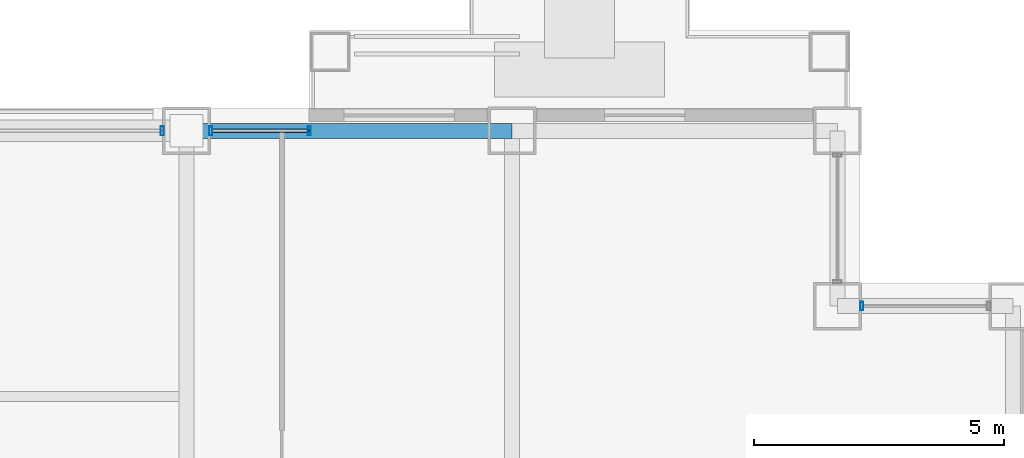
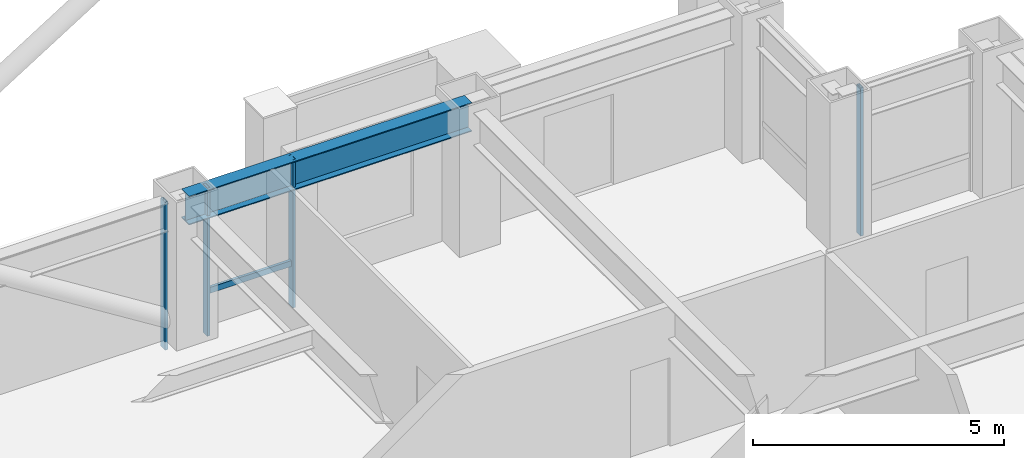
# One storey, part 22 of 33: 5 members, 1 beam, 3 elements without a shape of their own.
"""IFC4 building model written with IfcOpenShell, lengths in metres."""

from ifc_helpers import new_model, si_unit, direction, frame, origin, origin_2d, place, context, subcontext, project, spatial, hollow_rectangle, i_section, extrude, material, layer, layer_set, material_profile, profile_set, type_object, element, aggregate, save


model = new_model("IFC4")

# Units and contexts
model_context = context("Model", 3, precision=1e-05, world=origin(), true_north=direction((0.0, 1.0)))
body_context = subcontext(model_context, "Body", "Model", "MODEL_VIEW")
ifc_project = project(units=[si_unit("LENGTHUNIT", "METRE"), si_unit("AREAUNIT", "SQUARE_METRE"), si_unit("VOLUMEUNIT", "CUBIC_METRE"), si_unit("PLANEANGLEUNIT", "RADIAN"), si_unit("MASSUNIT", "GRAM", prefix="KILO")], contexts=[model_context])

# Site, building, storey
site_placement = place(None, origin())
site = spatial("IfcSite", under=ifc_project, at=site_placement, CompositionType="ELEMENT")
building_placement = place(site_placement, origin())
building = spatial("IfcBuilding", under=site, at=building_placement, Name="Brelmoor Portico Tower", CompositionType="ELEMENT")
storey_placement = place(building_placement, frame((0.0, 0.0, 34.800048828125)))
storey = spatial("IfcBuildingStorey", under=building, at=storey_placement, Name="L08", CompositionType="ELEMENT", Elevation=34.800048828125)

# Beam
ifc_material_1 = material(Name="Steel Q355B", Category="steel")
ifc_material_profile_1 = material_profile(ifc_material_1, i_section(OverallWidth=0.300048828125, OverallDepth=0.699951171875, WebThickness=0.012939453125, FlangeThickness=0.02392578125, at=origin_2d()), Name="HN 700x300x13x24")
ifc_profile_set_1 = profile_set([ifc_material_profile_1], Name="Steel Q355B")
beam_type = type_object("IfcBeamType", Name="BM-SP-700", PredefinedType="SPANDREL", material=ifc_profile_set_1)
beam_placement = place(storey_placement, frame((8.050048828125, 21.550048828125, 3.050048828125), z_axis=(1.0, 0.0, 0.0), x_axis=(0.0, 1.0, 0.0)))
element("IfcBeam", 1, at=beam_placement, inside=storey, type_object=beam_type, Name="L08 Perimeter Spandrel Beam SP-13", PredefinedType="SPANDREL", context=body_context, shape_type="SweptSolid", body=[
    extrude(i_section(OverallWidth=0.300048828125, OverallDepth=0.699951171875, WebThickness=0.012939453125, FlangeThickness=0.02392578125, at=origin_2d()), origin(), (0.0, 0.0, 1.0), 6.5),
])

# Curtain wall, member
ifc_material_2 = material(Name="Anodised Aluminium Alloy 6063-T6", Category="aluminium")
ifc_layer_1 = layer(ifc_material_2, 0.179931640625)
ifc_layer_set_1 = layer_set([ifc_layer_1], Name="Anodised Aluminium Alloy 6063-T6")
curtain_wall_type_1 = type_object("IfcCurtainWallType", Name="CW-NOTCH-CHAMFER", PredefinedType="NOTDEFINED", material=ifc_layer_set_1)
curtain_wall_1_placement = place(storey_placement, origin())
curtain_wall_1 = element("IfcCurtainWall", 2, at=curtain_wall_1_placement, inside=storey, type_object=curtain_wall_type_1, Name="L08 Curtain Wall CWN-L08-NEH", PredefinedType="NOTDEFINED")
ifc_material_profile_2 = material_profile(ifc_material_2, hollow_rectangle(XDim=0.06494140625, YDim=0.1650390625, WallThickness=0.00390625, at=origin_2d()), Name="ALU MULLION 65x165")
ifc_profile_set_2 = profile_set([ifc_material_profile_2], Name="Anodised Aluminium Alloy 6063-T6")
member_type_1 = type_object("IfcMemberType", Name="MB-CW-MULL-165", PredefinedType="MULLION", material=ifc_profile_set_2)
member_1_placement = place(storey_placement, frame((21.534912109375, 18.050048828125, -0.199951171875), z_axis=(0.0, 0.0, 1.0), x_axis=(1.0, 0.0, 0.0)))
member_1 = element("IfcMember", 3, at=member_1_placement, type_object=member_type_1, Name="CWN-L08-NEH Mullion 00", PredefinedType="MULLION", context=body_context, shape_type="SweptSolid", body=[
    extrude(hollow_rectangle(XDim=0.06494140625, YDim=0.1650390625, WallThickness=0.00390625, at=origin_2d()), origin(), (0.0, 0.0, 1.0), 3.599853515625),
])
aggregate(curtain_wall_1, [member_1])

ifc_layer_2 = layer(ifc_material_2, 0.179931640625)
ifc_layer_set_2 = layer_set([ifc_layer_2], Name="Anodised Aluminium Alloy 6063-T6")
curtain_wall_type_2 = type_object("IfcCurtainWallType", Name="CW-TOWER-Z1-XB", PredefinedType="NOTDEFINED", material=ifc_layer_set_2)
curtain_wall_2_placement = place(storey_placement, origin())
curtain_wall_2 = element("IfcCurtainWall", 4, at=curtain_wall_2_placement, inside=storey, type_object=curtain_wall_type_2, Name="L08 Curtain Wall CW-L08-2L-3", PredefinedType="NOTDEFINED")
ifc_material_profile_3 = material_profile(ifc_material_2, hollow_rectangle(XDim=0.06494140625, YDim=0.179931640625, WallThickness=0.00390625, at=origin_2d()), Name="ALU MULLION 65x180")
ifc_profile_set_3 = profile_set([ifc_material_profile_3], Name="Anodised Aluminium Alloy 6063-T6")
member_type_2 = type_object("IfcMemberType", Name="MB-CW-MULL-180", PredefinedType="MULLION", material=ifc_profile_set_3)
member_2_placement = place(storey_placement, frame((7.56494140625, 21.550048828125, -0.199951171875), z_axis=(0.0, 0.0, 1.0), x_axis=(1.0, 0.0, 0.0)))
member_2 = element("IfcMember", 5, at=member_2_placement, type_object=member_type_2, Name="CW-L08-2L-3 Mullion 01", PredefinedType="MULLION", context=body_context, shape_type="SweptSolid", body=[
    extrude(hollow_rectangle(XDim=0.06494140625, YDim=0.179931640625, WallThickness=0.00390625, at=origin_2d()), origin(), (0.0, 0.0, 1.0), 3.599853515625),
])
aggregate(curtain_wall_2, [member_2])

# Curtain wall, members
ifc_layer_3 = layer(ifc_material_2, 0.179931640625)
ifc_layer_set_3 = layer_set([ifc_layer_3], Name="Anodised Aluminium Alloy 6063-T6")
curtain_wall_type_3 = type_object("IfcCurtainWallType", Name="CW-TOWER-Z1", PredefinedType="NOTDEFINED", material=ifc_layer_set_3)
curtain_wall_3_placement = place(storey_placement, origin())
curtain_wall_3 = element("IfcCurtainWall", 6, at=curtain_wall_3_placement, inside=storey, type_object=curtain_wall_type_3, Name="L08 Curtain Wall CW-L08-2L-4", PredefinedType="NOTDEFINED")
member_3_placement = place(storey_placement, frame((8.534912109375, 21.550048828125, -0.199951171875), z_axis=(0.0, 0.0, 1.0), x_axis=(1.0, 0.0, 0.0)))
member_3 = element("IfcMember", 7, at=member_3_placement, type_object=member_type_2, Name="CW-L08-2L-4 Mullion 00", PredefinedType="MULLION", context=body_context, shape_type="SweptSolid", body=[
    extrude(hollow_rectangle(XDim=0.06494140625, YDim=0.179931640625, WallThickness=0.00390625, at=origin_2d()), origin(), (0.0, 0.0, 1.0), 3.599853515625),
])
member_4_placement = place(storey_placement, frame((10.5, 21.550048828125, -0.199951171875), z_axis=(0.0, 0.0, 1.0), x_axis=(1.0, 0.0, 0.0)))
member_4 = element("IfcMember", 8, at=member_4_placement, type_object=member_type_2, Name="CW-L08-2L-4 Mullion 01", PredefinedType="MULLION", context=body_context, shape_type="SweptSolid", body=[
    extrude(hollow_rectangle(XDim=0.06494140625, YDim=0.179931640625, WallThickness=0.00390625, at=origin_2d()), origin(), (0.0, 0.0, 1.0), 3.599853515625),
])
ifc_material_profile_4 = material_profile(ifc_material_2, hollow_rectangle(XDim=0.06494140625, YDim=0.139892578125, WallThickness=0.00390625, at=origin_2d()), Name="ALU TRANSOM 65x140")
ifc_profile_set_4 = profile_set([ifc_material_profile_4], Name="Anodised Aluminium Alloy 6063-T6")
member_type_3 = type_object("IfcMemberType", Name="MB-CW-TRAN-140", PredefinedType="USERDEFINED", material=ifc_profile_set_4)
member_5_placement = place(storey_placement, frame((8.534912109375, 21.550048828125, 0.849853515625), z_axis=(1.0, 0.0, 0.0), x_axis=(0.0, 1.0, 0.0)))
member_5 = element("IfcMember", 9, at=member_5_placement, type_object=member_type_3, Name="CW-L08-2L-4 Transom 1-00", ObjectType="TRANSOM", PredefinedType="USERDEFINED", context=body_context, shape_type="SweptSolid", body=[
    extrude(hollow_rectangle(XDim=0.06494140625, YDim=0.139892578125, WallThickness=0.00390625, at=origin_2d()), origin(), (0.0, 0.0, 1.0), 1.965087890625),
])
aggregate(curtain_wall_3, [member_3, member_4, member_5])

save(model, "model.ifc")
